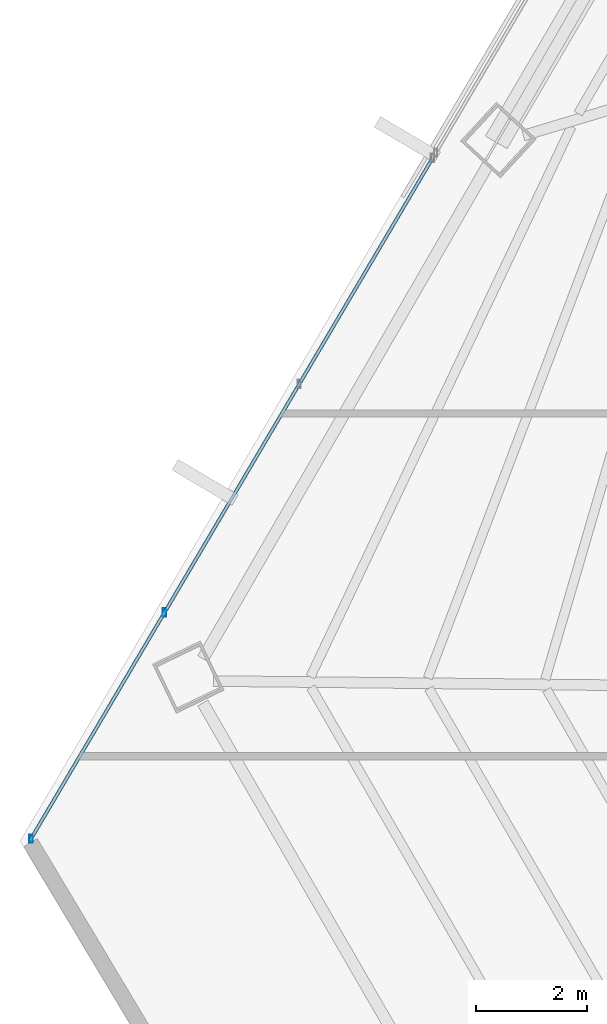
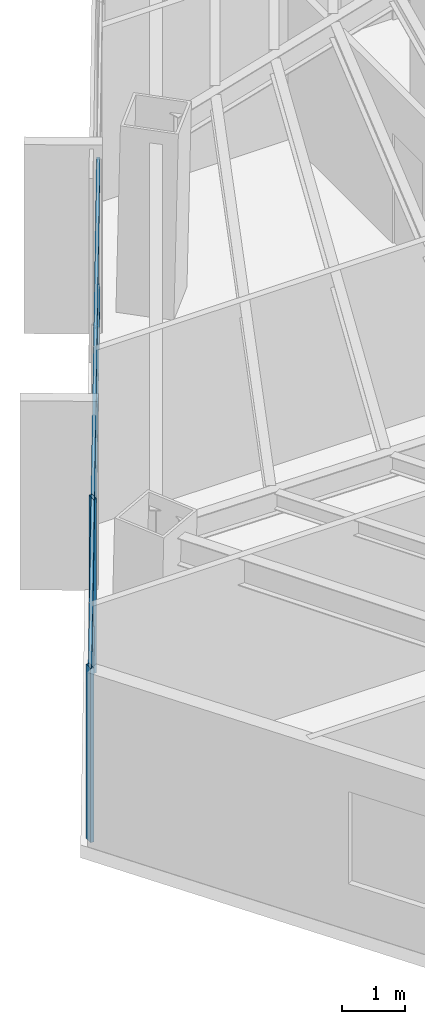
# One storey, part 6 of 41: 4 members, 1 element without a shape of its own.
"""IFC4 building model written with IfcOpenShell, lengths in metres."""

from ifc_helpers import new_model, si_unit, direction, frame, origin, origin_2d, place, context, subcontext, project, spatial, hollow_rectangle, extrude, source, transform, mapped, material, material_profile, profile_set, type_object, type_shapes, element, aggregate, save


model = new_model("IFC4")

# Units and contexts
model_context = context("Model", 3, precision=1e-05, world=origin(), true_north=direction((0.0, 1.0)))
body_context = subcontext(model_context, "Body", "Model", "MODEL_VIEW")
ifc_project = project(units=[si_unit("LENGTHUNIT", "METRE"), si_unit("AREAUNIT", "SQUARE_METRE"), si_unit("VOLUMEUNIT", "CUBIC_METRE"), si_unit("PLANEANGLEUNIT", "RADIAN"), si_unit("MASSUNIT", "GRAM", prefix="KILO")], contexts=[model_context])

# Site, building, storey
site_placement = place(None, origin())
site = spatial("IfcSite", under=ifc_project, at=site_placement, CompositionType="ELEMENT")
building_placement = place(site_placement, origin())
building = spatial("IfcBuilding", under=site, at=building_placement, Name="Caelisora Broadcast Tower", CompositionType="ELEMENT")
storey_placement = place(building_placement, frame((0.0, 0.0, 180.39990234375)))
storey = spatial("IfcBuildingStorey", under=building, at=storey_placement, Name="L47", CompositionType="ELEMENT", Elevation=180.39990234375)

# Curtain wall, members
ifc_material_1 = material(Name="Unitised Aluminium and Low-E Glass Curtain Wall", Category="glass")
curtain_wall_type = type_object("IfcCurtainWallType", Name="CW-Z3", PredefinedType="NOTDEFINED", material=ifc_material_1)
curtain_wall_placement = place(storey_placement, origin())
curtain_wall = element("IfcCurtainWall", 1, at=curtain_wall_placement, inside=storey, type_object=curtain_wall_type, Name="L47 curtain wall CW-Z3", PredefinedType="NOTDEFINED")
ifc_material_2 = material(Name="Aluminium 6063-T6 Anodised Terracotta Bronze", Category="aluminium")
ifc_material_profile_1 = material_profile(ifc_material_2, hollow_rectangle(XDim=0.06005859375, YDim=0.14990234375, WallThickness=0.00341796875, at=origin_2d()), Name="Aluminium 6063-T6 Anodised Terracotta Bronze")
ifc_profile_set_1 = profile_set([ifc_material_profile_1], Name="Aluminium 6063-T6 Anodised Terracotta Bronze")
member_type_1 = type_object("IfcMemberType", Name="CWM-03", PredefinedType="MULLION", material=ifc_profile_set_1)
shared_shape_1 = source(origin(), body_context, "Body", "SweptSolid", [
    extrude(hollow_rectangle(XDim=0.06005859375, YDim=0.14990234375, WallThickness=0.00341796875, at=origin_2d()), origin(), (0.0, 0.0, 1.0), 3.400146484375),
])
type_shapes(member_type_1, [shared_shape_1])
member_1_placement = place(storey_placement, frame((12.83349609375, 14.72021484375, 0.0), z_axis=(0.0, 0.0, 1.0), x_axis=(1.0, 0.0, 0.0)))
member_1 = element("IfcMember", 2, at=member_1_placement, type_object=member_type_1, Name="L47-CW-B09 mullion #0", PredefinedType="MULLION", context=body_context, shape_type="MappedRepresentation", body=[
    mapped(shared_shape_1, transform((0.0, 0.0, 0.0), scale=1.0)),
])
member_2_placement = place(storey_placement, frame((15.227294921875, 18.7783203125, 0.0), z_axis=(0.0, 0.0, 1.0), x_axis=(1.0, 0.0, 0.0)))
member_2 = element("IfcMember", 3, at=member_2_placement, type_object=member_type_1, Name="L47-CW-B09 mullion #1", PredefinedType="MULLION", context=body_context, shape_type="MappedRepresentation", body=[
    mapped(shared_shape_1, transform((0.0, 0.0, 0.0), scale=1.0)),
])
ifc_material_profile_2 = material_profile(ifc_material_2, hollow_rectangle(XDim=0.06005859375, YDim=0.14990234375, WallThickness=0.00341796875, at=origin_2d()), Name="Aluminium 6063-T6 Anodised Terracotta Bronze")
ifc_profile_set_2 = profile_set([ifc_material_profile_2], Name="Aluminium 6063-T6 Anodised Terracotta Bronze")
member_type_2 = type_object("IfcMemberType", Name="CWT-02", PredefinedType="USERDEFINED", material=ifc_profile_set_2)
shared_shape_2 = source(origin(), body_context, "Body", "SweptSolid", [
    extrude(hollow_rectangle(XDim=0.06005859375, YDim=0.14990234375, WallThickness=0.00341796875, at=origin_2d()), origin(), (0.0, 0.0, 1.0), 14.18505859375),
])
type_shapes(member_type_2, [shared_shape_2])
member_3_placement = place(storey_placement, frame((12.83349609375, 14.72021484375, 0.85009765625), z_axis=(0.508093068963, 0.861302173033, 0.0), x_axis=(-0.861302173033, 0.508093068963, 0.0)))
member_3 = element("IfcMember", 4, at=member_3_placement, type_object=member_type_2, Name="L47-CW-B09 transom #1", ObjectType="TRANSOM", PredefinedType="USERDEFINED", context=body_context, shape_type="MappedRepresentation", body=[
    mapped(shared_shape_2, transform((0.0, 0.0, 0.0), scale=1.0)),
])
member_4_placement = place(storey_placement, frame((12.83349609375, 14.72021484375, 3.320068359375), z_axis=(0.508093068963, 0.861302173033, 0.0), x_axis=(-0.861302173033, 0.508093068963, 0.0)))
member_4 = element("IfcMember", 5, at=member_4_placement, type_object=member_type_2, Name="L47-CW-B09 transom #2", ObjectType="TRANSOM", PredefinedType="USERDEFINED", context=body_context, shape_type="MappedRepresentation", body=[
    mapped(shared_shape_2, transform((0.0, 0.0, 0.0), scale=1.0)),
])
aggregate(curtain_wall, [member_1, member_2, member_3, member_4])

save(model, "model.ifc")
